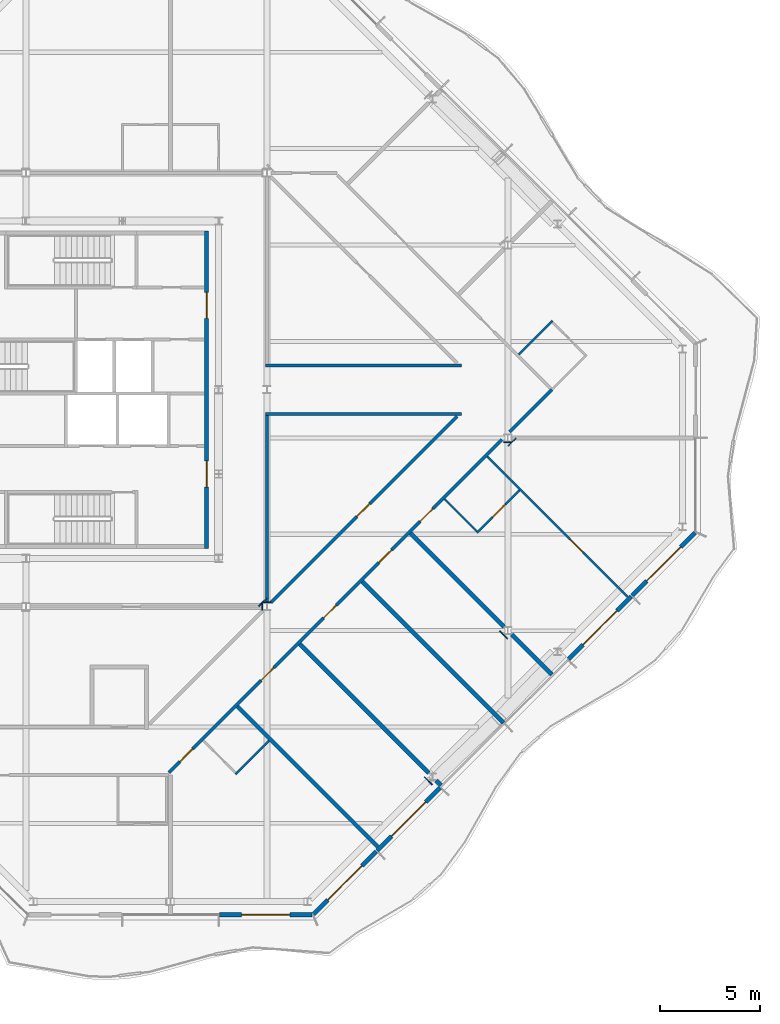
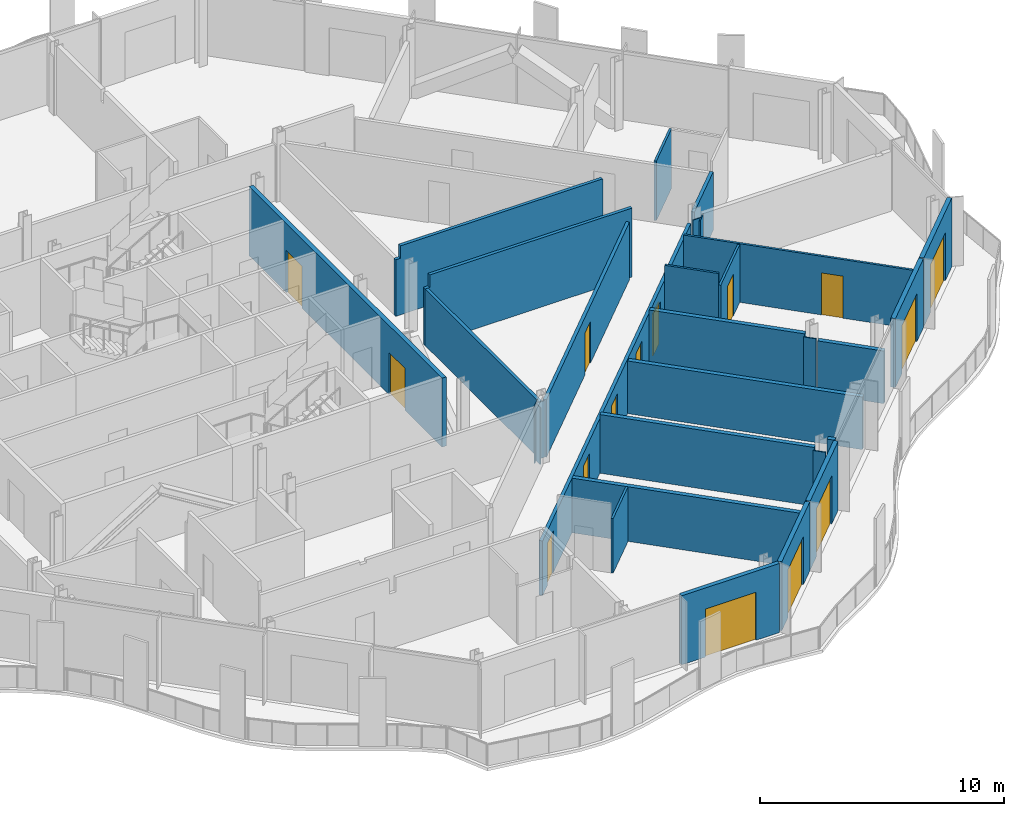
# One storey, part 9 of 17: 30 walls, 15 doors, 15 openings.
"""IFC4 building model written with IfcOpenShell, lengths in metres."""

from ifc_helpers import new_model, si_unit, direction, frame, frame_2d, origin, place, context, subcontext, project, spatial, polyline, rectangle, outline, extrude, material, layer, layer_set, type_object, element, fill, save


model = new_model("IFC4")

# Units and contexts
model_context = context("Model", 3, precision=1e-05, world=origin(), true_north=direction((0.0, 1.0)))
body_context = subcontext(model_context, "Body", "Model", "MODEL_VIEW")
ifc_project = project(units=[si_unit("LENGTHUNIT", "METRE"), si_unit("AREAUNIT", "SQUARE_METRE"), si_unit("VOLUMEUNIT", "CUBIC_METRE"), si_unit("PLANEANGLEUNIT", "RADIAN"), si_unit("MASSUNIT", "GRAM", prefix="KILO")], contexts=[model_context])

# Site, building, storey
site_placement = place(None, origin())
site = spatial("IfcSite", under=ifc_project, at=site_placement, CompositionType="ELEMENT")
building_placement = place(site_placement, origin())
building = spatial("IfcBuilding", under=site, at=building_placement, Name="Cairn Pilgrim Tower", CompositionType="ELEMENT")
storey_placement = place(building_placement, frame((0.0, 0.0, 281.39990234375)))
storey = spatial("IfcBuildingStorey", under=building, at=storey_placement, Name="L72", CompositionType="ELEMENT", Elevation=281.39990234375)

# Wall, opening, door
ifc_material_1 = material(Name="Bronze anodised aluminium insulated sandwich panel with mineral wool fill", Category="aluminium")
ifc_layer_1 = layer(ifc_material_1, 0.199951171875)
ifc_layer_set_1 = layer_set([ifc_layer_1], Name="BRONZE INFILL FRAME WALL 200")
wall_type_1 = type_object("IfcWallType", Name="BRONZE INFILL FRAME WALL 200", PredefinedType="NOTDEFINED", material=ifc_layer_set_1)
wall_1_placement = place(storey_placement, frame((16.830078125, -23.75, 0.0), z_axis=(0.0, 0.0, 1.0), x_axis=(1.0, 0.0, 0.0)))
wall_1 = element("IfcWall", 1, at=wall_1_placement, inside=storey, type_object=wall_type_1, Name="Bronze infill frame wall IW-S3", PredefinedType="NOTDEFINED", context=body_context, shape_type="SweptSolid", body=[
    extrude(rectangle(XDim=4.62646484375, YDim=0.199951171875, at=frame_2d((2.313232421875, 0.0))), origin(), (0.0, 0.0, 1.0), 3.4501953125),
])
opening_1_placement = place(wall_1_placement, frame((1.117919921875, 0.0, 0.0)))
opening_1 = element("IfcOpeningElement", 2, at=opening_1_placement, cuts=wall_1, Name="Opening 7202B2", PredefinedType="OPENING", context=body_context, shape_type="SweptSolid", body=[
    extrude(rectangle(XDim=2.39990234375, YDim=2.39990234375, at=frame_2d((1.199951171875, 1.199951171875))), frame((0.0, 0.10986328125, 0.0), z_axis=(0.0, -1.0, 0.0), x_axis=(1.0, 0.0, 0.0)), (0.0, 0.0, 1.0), 0.219970703125),
])
ifc_material_2 = material(Name="Bronze anodised aluminium frame with tinted low-E glass", Category="aluminium")
door_type_1 = type_object("IfcDoorType", Name="BALCONY SLIDING DOOR 2400x2400", OperationType="DOUBLE_DOOR_SLIDING", PredefinedType="DOOR", material=ifc_material_2)
door_1_placement = place(opening_1_placement, origin())
door_1 = element("IfcDoor", 3, at=door_1_placement, inside=storey, type_object=door_type_1, Name="Balcony sliding door 7202B2", OperationType="SINGLE_SWING_LEFT", OverallHeight=2.39990234375, OverallWidth=2.39990234375, PredefinedType="DOOR", context=body_context, shape_type="SweptSolid", body=[
    extrude(rectangle(XDim=2.39990234375, YDim=2.39990234375, at=frame_2d((1.199951171875, 1.199951171875))), frame((0.0, 0.02490234375, 0.0), z_axis=(0.0, -1.0, 0.0), x_axis=(1.0, 0.0, 0.0)), (0.0, 0.0, 1.0), 0.050048828125),
])
fill(opening_1, door_1)

wall_2_placement = place(storey_placement, frame((21.524658203125, -23.7216796875, 0.0), z_axis=(0.0, 0.0, 1.0), x_axis=(0.707134392299, 0.707079168996, 0.0)))
wall_2 = element("IfcWall", 4, at=wall_2_placement, inside=storey, type_object=wall_type_1, Name="Bronze infill frame wall IW-SE1", PredefinedType="NOTDEFINED", context=body_context, shape_type="SweptSolid", body=[
    extrude(rectangle(XDim=4.4208984375, YDim=0.199951171875, at=frame_2d((2.21044921875, 0.0))), origin(), (0.0, 0.0, 1.0), 3.4501953125),
])
opening_2_placement = place(wall_2_placement, frame((1.00537109375, 0.0, 0.0)))
opening_2 = element("IfcOpeningElement", 5, at=opening_2_placement, cuts=wall_2, Name="Opening 7202B", PredefinedType="OPENING", context=body_context, shape_type="SweptSolid", body=[
    extrude(rectangle(XDim=2.39990234375, YDim=2.39990234375, at=frame_2d((1.199951171875, 1.199951171875))), frame((0.0, 0.10986328125, 0.0), z_axis=(0.0, -1.0, 0.0), x_axis=(1.0, 0.0, 0.0)), (0.0, 0.0, 1.0), 0.219970703125),
])
door_2_placement = place(opening_2_placement, origin())
door_2 = element("IfcDoor", 6, at=door_2_placement, inside=storey, type_object=door_type_1, Name="Balcony sliding door 7202B", OperationType="SINGLE_SWING_LEFT", OverallHeight=2.39990234375, OverallWidth=2.39990234375, PredefinedType="DOOR", context=body_context, shape_type="SweptSolid", body=[
    extrude(rectangle(XDim=2.39990234375, YDim=2.39990234375, at=frame_2d((1.199951171875, 1.199951171875))), frame((0.0, 0.02490234375, 0.0), z_axis=(0.0, -1.0, 0.0), x_axis=(1.0, 0.0, 0.0)), (0.0, 0.0, 1.0), 0.050048828125),
])
fill(opening_2, door_2)

wall_3_placement = place(storey_placement, frame((24.693359375, -20.55322265625, 0.0), z_axis=(0.0, 0.0, 1.0), x_axis=(0.707079231393, 0.707134329907, 0.0)))
wall_3 = element("IfcWall", 7, at=wall_3_placement, inside=storey, type_object=wall_type_1, Name="Bronze infill frame wall IW-SE2", PredefinedType="NOTDEFINED", context=body_context, shape_type="SweptSolid", body=[
    extrude(rectangle(XDim=4.430908203125, YDim=0.199951171875, at=frame_2d((2.21533203125, 0.0))), origin(), (0.0, 0.0, 1.0), 3.4501953125),
])
opening_3_placement = place(wall_3_placement, frame((1.015380859375, 0.0, 0.0)))
opening_3 = element("IfcOpeningElement", 8, at=opening_3_placement, cuts=wall_3, Name="Opening 7203B", PredefinedType="OPENING", context=body_context, shape_type="SweptSolid", body=[
    extrude(rectangle(XDim=2.39990234375, YDim=2.39990234375, at=frame_2d((1.199951171875, 1.199951171875))), frame((0.0, 0.10986328125, 0.0), z_axis=(0.0, -1.0, 0.0), x_axis=(1.0, 0.0, 0.0)), (0.0, 0.0, 1.0), 0.219970703125),
])
door_3_placement = place(opening_3_placement, origin())
door_3 = element("IfcDoor", 9, at=door_3_placement, inside=storey, type_object=door_type_1, Name="Balcony sliding door 7203B", OperationType="SINGLE_SWING_LEFT", OverallHeight=2.39990234375, OverallWidth=2.39990234375, PredefinedType="DOOR", context=body_context, shape_type="SweptSolid", body=[
    extrude(rectangle(XDim=2.39990234375, YDim=2.39990234375, at=frame_2d((1.199951171875, 1.199951171875))), frame((0.0, 0.02490234375, 0.0), z_axis=(0.0, -1.0, 0.0), x_axis=(1.0, 0.0, 0.0)), (0.0, 0.0, 1.0), 0.050048828125),
])
fill(opening_3, door_3)

wall_4_placement = place(storey_placement, frame((34.219970703125, -11.0263671875, 0.0), z_axis=(0.0, 0.0, 1.0), x_axis=(0.707134329907, 0.707079231393, 0.0)))
wall_4 = element("IfcWall", 10, at=wall_4_placement, inside=storey, type_object=wall_type_1, Name="Bronze infill frame wall IW-SE5", PredefinedType="NOTDEFINED", context=body_context, shape_type="SweptSolid", body=[
    extrude(rectangle(XDim=4.430908203125, YDim=0.199951171875, at=frame_2d((2.21533203125, 0.0))), origin(), (0.0, 0.0, 1.0), 3.4501953125),
])
opening_4_placement = place(wall_4_placement, frame((1.01513671875, 0.0, 0.0)))
opening_4 = element("IfcOpeningElement", 11, at=opening_4_placement, cuts=wall_4, Name="Opening 7206B", PredefinedType="OPENING", context=body_context, shape_type="SweptSolid", body=[
    extrude(rectangle(XDim=2.39990234375, YDim=2.39990234375, at=frame_2d((1.199951171875, 1.199951171875))), frame((0.0, 0.10986328125, 0.0), z_axis=(0.0, -1.0, 0.0), x_axis=(1.0, 0.0, 0.0)), (0.0, 0.0, 1.0), 0.219970703125),
])
door_4_placement = place(opening_4_placement, origin())
door_4 = element("IfcDoor", 12, at=door_4_placement, inside=storey, type_object=door_type_1, Name="Balcony sliding door 7206B", OperationType="SINGLE_SWING_LEFT", OverallHeight=2.39990234375, OverallWidth=2.39990234375, PredefinedType="DOOR", context=body_context, shape_type="SweptSolid", body=[
    extrude(rectangle(XDim=2.39990234375, YDim=2.39990234375, at=frame_2d((1.199951171875, 1.199951171875))), frame((0.0, 0.02490234375, 0.0), z_axis=(0.0, -1.0, 0.0), x_axis=(1.0, 0.0, 0.0)), (0.0, 0.0, 1.0), 0.050048828125),
])
fill(opening_4, door_4)

wall_5_placement = place(storey_placement, frame((37.3955078125, -7.850830078125, 0.0), z_axis=(0.0, 0.0, 1.0), x_axis=(0.707106781187, 0.707106781187, 0.0)))
wall_5 = element("IfcWall", 13, at=wall_5_placement, inside=storey, type_object=wall_type_1, Name="Bronze infill frame wall IW-SE6", PredefinedType="NOTDEFINED", context=body_context, shape_type="SweptSolid", body=[
    extrude(rectangle(XDim=4.421142578125, YDim=0.199951171875, at=frame_2d((2.21044921875, 0.0))), origin(), (0.0, 0.0, 1.0), 3.4501953125),
])
opening_5_placement = place(wall_5_placement, frame((1.015625, 0.0, 0.0)))
opening_5 = element("IfcOpeningElement", 14, at=opening_5_placement, cuts=wall_5, Name="Opening 7212B", PredefinedType="OPENING", context=body_context, shape_type="SweptSolid", body=[
    extrude(rectangle(XDim=2.39990234375, YDim=2.39990234375, at=frame_2d((1.199951171875, 1.199951171875))), frame((0.0, 0.10986328125, 0.0), z_axis=(0.0, -1.0, 0.0), x_axis=(1.0, 0.0, 0.0)), (0.0, 0.0, 1.0), 0.219970703125),
])
door_5_placement = place(opening_5_placement, origin())
door_5 = element("IfcDoor", 15, at=door_5_placement, inside=storey, type_object=door_type_1, Name="Balcony sliding door 7212B", OperationType="SINGLE_SWING_LEFT", OverallHeight=2.39990234375, OverallWidth=2.39990234375, PredefinedType="DOOR", context=body_context, shape_type="SweptSolid", body=[
    extrude(rectangle(XDim=2.39990234375, YDim=2.39990234375, at=frame_2d((1.199951171875, 1.199951171875))), frame((0.0, 0.02490234375, 0.0), z_axis=(0.0, -1.0, 0.0), x_axis=(1.0, 0.0, 0.0)), (0.0, 0.0, 1.0), 0.050048828125),
])
fill(opening_5, door_5)

# Wall, openings, doors
ifc_material_3 = material(Name="Concrete C32/40", Category="concrete")
ifc_layer_2 = layer(ifc_material_3, 0.199951171875)
ifc_layer_set_2 = layer_set([ifc_layer_2], Name="CORE OUTER WALL 200 EI 120")
wall_type_2 = type_object("IfcWallType", Name="CORE OUTER WALL 200 EI 120", PredefinedType="SOLIDWALL", material=ifc_layer_set_2)
wall_6_placement = place(storey_placement, frame((16.199951171875, -5.5, 0.0), z_axis=(0.0, 0.0, 1.0), x_axis=(0.0, 1.0, 0.0)))
wall_6 = element("IfcWall", 16, at=wall_6_placement, inside=storey, type_object=wall_type_2, Name="CW:L72:V29", PredefinedType="SOLIDWALL", context=body_context, shape_type="SweptSolid", body=[
    extrude(rectangle(XDim=15.800048828125, YDim=0.199951171875, at=frame_2d((7.89990234375, 0.0))), origin(), (0.0, 0.0, 1.0), 3.4501953125),
])
opening_6_placement = place(wall_6_placement, frame((3.050048828125, 0.0, 0.0)))
opening_6 = element("IfcOpeningElement", 17, at=opening_6_placement, cuts=wall_6, Name="Opening CD-E1", PredefinedType="OPENING", context=body_context, shape_type="SweptSolid", body=[
    extrude(rectangle(XDim=1.300048828125, YDim=2.10009765625, at=frame_2d((0.64990234375, 1.050048828125))), frame((0.0, 0.10986328125, 0.0), z_axis=(0.0, -1.0, 0.0), x_axis=(1.0, 0.0, 0.0)), (0.0, 0.0, 1.0), 0.219970703125),
])
opening_7_placement = place(wall_6_placement, frame((11.449951171875, 0.0, 0.0)))
opening_7 = element("IfcOpeningElement", 18, at=opening_7_placement, cuts=wall_6, Name="Opening CD-E2", PredefinedType="OPENING", context=body_context, shape_type="SweptSolid", body=[
    extrude(rectangle(XDim=1.300048828125, YDim=2.10009765625, at=frame_2d((0.64990234375, 1.050048828125))), frame((0.0, 0.10986328125, 0.0), z_axis=(0.0, -1.0, 0.0), x_axis=(1.0, 0.0, 0.0)), (0.0, 0.0, 1.0), 0.219970703125),
])
ifc_material_4 = material(Name="Painted steel", Category="steel")
door_type_2 = type_object("IfcDoorType", Name="CORE LOBBY DOOR 1300x2100", OperationType="DOUBLE_DOOR_SINGLE_SWING", PredefinedType="DOOR", material=ifc_material_4)
door_6_placement = place(opening_6_placement, origin())
door_6 = element("IfcDoor", 19, at=door_6_placement, inside=storey, type_object=door_type_2, Name="CD-E1", OperationType="DOUBLE_DOOR_SINGLE_SWING", OverallHeight=2.10009765625, OverallWidth=1.300048828125, PredefinedType="DOOR", context=body_context, shape_type="SweptSolid", body=[
    extrude(rectangle(XDim=1.300048828125, YDim=2.10009765625, at=frame_2d((0.64990234375, 1.050048828125))), frame((0.0, 0.02490234375, 0.0), z_axis=(0.0, -1.0, 0.0), x_axis=(1.0, 0.0, 0.0)), (0.0, 0.0, 1.0), 0.050048828125),
])
fill(opening_6, door_6)
door_7_placement = place(opening_7_placement, origin())
door_7 = element("IfcDoor", 20, at=door_7_placement, inside=storey, type_object=door_type_2, Name="CD-E2", OperationType="DOUBLE_DOOR_SINGLE_SWING", OverallHeight=2.10009765625, OverallWidth=1.300048828125, PredefinedType="DOOR", context=body_context, shape_type="SweptSolid", body=[
    extrude(rectangle(XDim=1.300048828125, YDim=2.10009765625, at=frame_2d((0.64990234375, 1.050048828125))), frame((0.0, 0.02490234375, 0.0), z_axis=(0.0, -1.0, 0.0), x_axis=(1.0, 0.0, 0.0)), (0.0, 0.0, 1.0), 0.050048828125),
])
fill(opening_7, door_7)

# Wall
ifc_material_5 = material(Name="Gypsum partition")
ifc_layer_3 = layer(ifc_material_5, 0.10009765625)
ifc_layer_set_3 = layer_set([ifc_layer_3], Name="PARTITION 100 DRYWALL")
wall_type_3 = type_object("IfcWallType", Name="PARTITION 100 DRYWALL", PredefinedType="PARTITIONING", material=ifc_layer_set_3)
wall_7_placement = place(storey_placement, frame((17.6376953125, -16.75048828125, 0.0), z_axis=(0.0, 0.0, 1.0), x_axis=(0.707054835785, 0.707158722772, 0.0)))
element("IfcWall", 21, at=wall_7_placement, inside=storey, type_object=wall_type_3, Name="PARTITION W010", PredefinedType="PARTITIONING", context=body_context, shape_type="SweptSolid", body=[
    extrude(rectangle(XDim=2.35009765625, YDim=0.10009765625, at=frame_2d((1.175048828125, 0.0))), origin(), (0.0, 0.0, 1.0), 2.72998046875),
])

# Wall, opening, door
wall_8_placement = place(storey_placement, frame((37.1552734375, -7.9072265625, 0.0), z_axis=(0.0, 0.0, 1.0), x_axis=(-0.707106781187, 0.707106781187, 0.0)))
wall_8 = element("IfcWall", 22, at=wall_8_placement, inside=storey, type_object=wall_type_3, Name="PARTITION W035", PredefinedType="PARTITIONING", context=body_context, shape_type="SweptSolid", body=[
    extrude(rectangle(XDim=9.872802734375, YDim=0.10009765625, at=frame_2d((4.9365234375, 0.0))), origin(), (0.0, 0.0, 1.0), 2.93017578125),
])
opening_8_placement = place(wall_8_placement, frame((3.134033203125, 0.0, 0.0)))
opening_8 = element("IfcOpeningElement", 23, at=opening_8_placement, cuts=wall_8, Name="Opening 7212", PredefinedType="OPENING", context=body_context, shape_type="SweptSolid", body=[
    extrude(rectangle(XDim=0.89990234375, YDim=2.10009765625, at=frame_2d((0.449951171875, 1.050048828125))), frame((0.0, 0.06005859375, 0.0), z_axis=(0.0, -1.0, 0.0), x_axis=(1.0, 0.0, 0.0)), (0.0, 0.0, 1.0), 0.1201171875),
])
ifc_material_6 = material(Name="Timber door leaf", Category="wood")
door_type_3 = type_object("IfcDoorType", Name="SERVICE DOOR 900x2100", OperationType="NOTDEFINED", PredefinedType="DOOR", material=ifc_material_6)
door_8_placement = place(opening_8_placement, origin())
door_8 = element("IfcDoor", 24, at=door_8_placement, inside=storey, type_object=door_type_3, Name="DOOR 7212", OperationType="SINGLE_SWING_LEFT", OverallHeight=2.10009765625, OverallWidth=0.89990234375, PredefinedType="DOOR", context=body_context, shape_type="SweptSolid", body=[
    extrude(rectangle(XDim=0.89990234375, YDim=2.10009765625, at=frame_2d((0.449951171875, 1.050048828125))), frame((0.0, 0.02490234375, 0.0), z_axis=(0.0, -1.0, 0.0), x_axis=(1.0, 0.0, 0.0)), (0.0, 0.0, 1.0), 0.050048828125),
])
fill(opening_8, door_8)

# Wall
wall_9_placement = place(storey_placement, frame((29.66162109375, -4.655517578125, 0.0), z_axis=(0.0, 0.0, 1.0), x_axis=(-0.707160441348, 0.707053116953, 0.0)))
element("IfcWall", 25, at=wall_9_placement, inside=storey, type_object=wall_type_3, Name="PARTITION W036", PredefinedType="PARTITIONING", context=body_context, shape_type="SweptSolid", body=[
    extrude(rectangle(XDim=2.27490234375, YDim=0.10009765625, at=frame_2d((1.137451171875, 0.0))), origin(), (0.0, 0.0, 1.0), 3.4501953125),
])

# Wall, opening, door
wall_10_placement = place(storey_placement, frame((29.66162109375, -4.726318359375, 0.0), z_axis=(0.0, 0.0, 1.0), x_axis=(0.707147476809, 0.707066083222, 0.0)))
wall_10 = element("IfcWall", 26, at=wall_10_placement, inside=storey, type_object=wall_type_3, Name="PARTITION W037", PredefinedType="PARTITIONING", context=body_context, shape_type="SweptSolid", body=[
    extrude(rectangle(XDim=2.99951171875, YDim=0.10009765625, at=frame_2d((1.499755859375, 0.0))), origin(), (0.0, 0.0, 1.0), 2.880126953125),
])
opening_9_placement = place(wall_10_placement, frame((1.10009765625, 0.0, 0.0)))
opening_9 = element("IfcOpeningElement", 27, at=opening_9_placement, cuts=wall_10, Name="Opening 7206A", PredefinedType="OPENING", context=body_context, shape_type="SweptSolid", body=[
    extrude(rectangle(XDim=0.89990234375, YDim=2.10009765625, at=frame_2d((0.449951171875, 1.050048828125))), frame((0.0, 0.06005859375, 0.0), z_axis=(0.0, -1.0, 0.0), x_axis=(1.0, 0.0, 0.0)), (0.0, 0.0, 1.0), 0.1201171875),
])
door_type_4 = type_object("IfcDoorType", Name="WC DOOR 900x2100", OperationType="NOTDEFINED", PredefinedType="DOOR", material=ifc_material_6)
door_9_placement = place(opening_9_placement, frame((0.89990234375, 0.0, 0.0), z_axis=(0.0, 0.0, 1.0), x_axis=(-1.0, 0.0, 0.0)))
door_9 = element("IfcDoor", 28, at=door_9_placement, inside=storey, type_object=door_type_4, Name="DOOR 7206A", OperationType="SINGLE_SWING_LEFT", OverallHeight=2.10009765625, OverallWidth=0.89990234375, PredefinedType="DOOR", context=body_context, shape_type="SweptSolid", body=[
    extrude(rectangle(XDim=0.89990234375, YDim=2.10009765625, at=frame_2d((0.449951171875, 1.050048828125))), frame((0.0, 0.02490234375, 0.0), z_axis=(0.0, -1.0, 0.0), x_axis=(1.0, 0.0, 0.0)), (0.0, 0.0, 1.0), 0.050048828125),
])
fill(opening_9, door_9)

# Wall
wall_11_placement = place(storey_placement, frame((31.75, 4.14990234375, 0.0), z_axis=(0.0, 0.0, 1.0), x_axis=(0.707055379538, 0.707158179099, 0.0)))
element("IfcWall", 29, at=wall_11_placement, inside=storey, type_object=wall_type_3, Name="PARTITION W048", PredefinedType="PARTITIONING", context=body_context, shape_type="SweptSolid", body=[
    extrude(rectangle(XDim=2.375, YDim=0.10009765625, at=frame_2d((1.1875, 0.0))), origin(), (0.0, 0.0, 1.0), 2.97998046875),
])

# Wall, openings, doors
ifc_layer_4 = layer(ifc_material_5, 0.14990234375)
ifc_layer_set_4 = layer_set([ifc_layer_4], Name="PARTITION 150 DRYWALL EI 60")
wall_type_4 = type_object("IfcWallType", Name="PARTITION 150 DRYWALL EI 60", PredefinedType="PARTITIONING", material=ifc_layer_set_4)
wall_12_placement = place(storey_placement, frame((14.322021484375, -16.672119140625, 0.0), z_axis=(0.0, 0.0, 1.0), x_axis=(0.707106781187, 0.707106781187, 0.0)))
wall_12 = element("IfcWall", 30, at=wall_12_placement, inside=storey, type_object=wall_type_4, Name="PARTITION W011", PredefinedType="PARTITIONING", context=body_context, shape_type="SweptSolid", body=[
    extrude(rectangle(XDim=23.45166015625, YDim=0.14990234375, at=frame_2d((11.725830078125, 0.0))), origin(), (0.0, 0.0, 1.0), 2.72998046875),
])
opening_10_placement = place(wall_12_placement, frame((0.775146484375, 0.0, 0.0)))
opening_10 = element("IfcOpeningElement", 31, at=opening_10_placement, cuts=wall_12, Name="Opening 7202", PredefinedType="OPENING", context=body_context, shape_type="SweptSolid", body=[
    extrude(rectangle(XDim=0.89990234375, YDim=2.10009765625, at=frame_2d((0.449951171875, 1.050048828125))), frame((0.0, 0.0849609375, 0.0), z_axis=(0.0, -1.0, 0.0), x_axis=(1.0, 0.0, 0.0)), (0.0, 0.0, 1.0), 0.169921875),
])
opening_11_placement = place(wall_12_placement, frame((6.489013671875, 0.0, 0.0)))
opening_11 = element("IfcOpeningElement", 32, at=opening_11_placement, cuts=wall_12, Name="Opening 7203", PredefinedType="OPENING", context=body_context, shape_type="SweptSolid", body=[
    extrude(rectangle(XDim=0.89990234375, YDim=2.10009765625, at=frame_2d((0.449951171875, 1.050048828125))), frame((0.0, 0.0849609375, 0.0), z_axis=(0.0, -1.0, 0.0), x_axis=(1.0, 0.0, 0.0)), (0.0, 0.0, 1.0), 0.169921875),
])
opening_12_placement = place(wall_12_placement, frame((10.89013671875, 0.0, 0.0)))
opening_12 = element("IfcOpeningElement", 33, at=opening_12_placement, cuts=wall_12, Name="Opening 7204", PredefinedType="OPENING", context=body_context, shape_type="SweptSolid", body=[
    extrude(rectangle(XDim=0.89990234375, YDim=2.10009765625, at=frame_2d((0.449951171875, 1.050048828125))), frame((0.0, 0.0849609375, 0.0), z_axis=(0.0, -1.0, 0.0), x_axis=(1.0, 0.0, 0.0)), (0.0, 0.0, 1.0), 0.169921875),
])
opening_13_placement = place(wall_12_placement, frame((14.7880859375, 0.0, 0.0)))
opening_13 = element("IfcOpeningElement", 34, at=opening_13_placement, cuts=wall_12, Name="Opening 7205", PredefinedType="OPENING", context=body_context, shape_type="SweptSolid", body=[
    extrude(rectangle(XDim=0.89990234375, YDim=2.10009765625, at=frame_2d((0.449951171875, 1.050048828125))), frame((0.0, 0.0849609375, 0.0), z_axis=(0.0, -1.0, 0.0), x_axis=(1.0, 0.0, 0.0)), (0.0, 0.0, 1.0), 0.169921875),
])
opening_14_placement = place(wall_12_placement, frame((17.689453125, 0.0, 0.0)))
opening_14 = element("IfcOpeningElement", 35, at=opening_14_placement, cuts=wall_12, Name="Opening 7206", PredefinedType="OPENING", context=body_context, shape_type="SweptSolid", body=[
    extrude(rectangle(XDim=0.89990234375, YDim=2.10009765625, at=frame_2d((0.449951171875, 1.050048828125))), frame((0.0, 0.0849609375, 0.0), z_axis=(0.0, -1.0, 0.0), x_axis=(1.0, 0.0, 0.0)), (0.0, 0.0, 1.0), 0.169921875),
])
door_type_5 = type_object("IfcDoorType", Name="ROOM DOOR 900x2100 FD30S", OperationType="NOTDEFINED", PredefinedType="DOOR", material=ifc_material_6)
door_10_placement = place(opening_10_placement, frame((0.89990234375, 0.0, 0.0), z_axis=(0.0, 0.0, 1.0), x_axis=(-1.0, 0.0, 0.0)))
door_10 = element("IfcDoor", 36, at=door_10_placement, inside=storey, type_object=door_type_5, Name="DOOR 7202", OperationType="SINGLE_SWING_LEFT", OverallHeight=2.10009765625, OverallWidth=0.89990234375, PredefinedType="DOOR", context=body_context, shape_type="SweptSolid", body=[
    extrude(rectangle(XDim=0.89990234375, YDim=2.10009765625, at=frame_2d((0.449951171875, 1.050048828125))), frame((0.0, 0.02490234375, 0.0), z_axis=(0.0, -1.0, 0.0), x_axis=(1.0, 0.0, 0.0)), (0.0, 0.0, 1.0), 0.050048828125),
])
fill(opening_10, door_10)
door_11_placement = place(opening_14_placement, frame((0.89990234375, 0.0, 0.0), z_axis=(0.0, 0.0, 1.0), x_axis=(-1.0, 0.0, 0.0)))
door_11 = element("IfcDoor", 37, at=door_11_placement, inside=storey, type_object=door_type_5, Name="DOOR 7206", OperationType="SINGLE_SWING_LEFT", OverallHeight=2.10009765625, OverallWidth=0.89990234375, PredefinedType="DOOR", context=body_context, shape_type="SweptSolid", body=[
    extrude(rectangle(XDim=0.89990234375, YDim=2.10009765625, at=frame_2d((0.449951171875, 1.050048828125))), frame((0.0, 0.02490234375, 0.0), z_axis=(0.0, -1.0, 0.0), x_axis=(1.0, 0.0, 0.0)), (0.0, 0.0, 1.0), 0.050048828125),
])
fill(opening_14, door_11)
door_type_6 = type_object("IfcDoorType", Name="SERVICE DOOR 900x2100 FD30S", OperationType="NOTDEFINED", PredefinedType="DOOR", material=ifc_material_6)
door_12_placement = place(opening_11_placement, frame((0.89990234375, 0.0, 0.0), z_axis=(0.0, 0.0, 1.0), x_axis=(-1.0, 0.0, 0.0)))
door_12 = element("IfcDoor", 38, at=door_12_placement, inside=storey, type_object=door_type_6, Name="DOOR 7203", OperationType="SINGLE_SWING_LEFT", OverallHeight=2.10009765625, OverallWidth=0.89990234375, PredefinedType="DOOR", context=body_context, shape_type="SweptSolid", body=[
    extrude(rectangle(XDim=0.89990234375, YDim=2.10009765625, at=frame_2d((0.449951171875, 1.050048828125))), frame((0.0, 0.02490234375, 0.0), z_axis=(0.0, -1.0, 0.0), x_axis=(1.0, 0.0, 0.0)), (0.0, 0.0, 1.0), 0.050048828125),
])
fill(opening_11, door_12)
door_13_placement = place(opening_12_placement, frame((0.89990234375, 0.0, 0.0), z_axis=(0.0, 0.0, 1.0), x_axis=(-1.0, 0.0, 0.0)))
door_13 = element("IfcDoor", 39, at=door_13_placement, inside=storey, type_object=door_type_6, Name="DOOR 7204", OperationType="SINGLE_SWING_LEFT", OverallHeight=2.10009765625, OverallWidth=0.89990234375, PredefinedType="DOOR", context=body_context, shape_type="SweptSolid", body=[
    extrude(rectangle(XDim=0.89990234375, YDim=2.10009765625, at=frame_2d((0.449951171875, 1.050048828125))), frame((0.0, 0.02490234375, 0.0), z_axis=(0.0, -1.0, 0.0), x_axis=(1.0, 0.0, 0.0)), (0.0, 0.0, 1.0), 0.050048828125),
])
fill(opening_12, door_13)
door_14_placement = place(opening_13_placement, frame((0.89990234375, 0.0, 0.0), z_axis=(0.0, 0.0, 1.0), x_axis=(-1.0, 0.0, 0.0)))
door_14 = element("IfcDoor", 40, at=door_14_placement, inside=storey, type_object=door_type_6, Name="DOOR 7205", OperationType="SINGLE_SWING_LEFT", OverallHeight=2.10009765625, OverallWidth=0.89990234375, PredefinedType="DOOR", context=body_context, shape_type="SweptSolid", body=[
    extrude(rectangle(XDim=0.89990234375, YDim=2.10009765625, at=frame_2d((0.449951171875, 1.050048828125))), frame((0.0, 0.02490234375, 0.0), z_axis=(0.0, -1.0, 0.0), x_axis=(1.0, 0.0, 0.0)), (0.0, 0.0, 1.0), 0.050048828125),
])
fill(opening_13, door_14)

# Wall
wall_13_placement = place(storey_placement, frame((19.199951171875, -8.21240234375, 0.0), z_axis=(0.0, 0.0, 1.0), x_axis=(0.0, 1.0, 0.0)))
element("IfcWall", 41, at=wall_13_placement, inside=storey, type_object=wall_type_4, Name="PARTITION W033", PredefinedType="PARTITIONING", context=body_context, shape_type="SweptSolid", body=[
    extrude(rectangle(XDim=9.33740234375, YDim=0.14990234375, at=frame_2d((4.668701171875, 0.0))), origin(), (0.0, 0.0, 1.0), 2.830078125),
])

# Wall, opening, door
wall_14_placement = place(storey_placement, frame((19.39208984375, -8.207763671875, 0.0), z_axis=(0.0, 0.0, 1.0), x_axis=(0.707106781187, 0.707106781187, 0.0)))
wall_14 = element("IfcWall", 42, at=wall_14_placement, inside=storey, type_object=wall_type_4, Name="PARTITION W034", PredefinedType="PARTITIONING", context=body_context, shape_type="SweptSolid", body=[
    extrude(rectangle(XDim=13.12353515625, YDim=0.14990234375, at=frame_2d((6.561767578125, 0.0))), origin(), (0.0, 0.0, 1.0), 2.880126953125),
])
opening_15_placement = place(wall_14_placement, frame((6.066162109375, 0.0, 0.0)))
opening_15 = element("IfcOpeningElement", 43, at=opening_15_placement, cuts=wall_14, Name="Opening 7215", PredefinedType="OPENING", context=body_context, shape_type="SweptSolid", body=[
    extrude(rectangle(XDim=0.89990234375, YDim=2.10009765625, at=frame_2d((0.449951171875, 1.050048828125))), frame((0.0, 0.0849609375, 0.0), z_axis=(0.0, -1.0, 0.0), x_axis=(1.0, 0.0, 0.0)), (0.0, 0.0, 1.0), 0.169921875),
])
door_15_placement = place(opening_15_placement, origin())
door_15 = element("IfcDoor", 44, at=door_15_placement, inside=storey, type_object=door_type_6, Name="DOOR 7215", OperationType="SINGLE_SWING_RIGHT", OverallHeight=2.10009765625, OverallWidth=0.89990234375, PredefinedType="DOOR", context=body_context, shape_type="SweptSolid", body=[
    extrude(rectangle(XDim=0.89990234375, YDim=2.10009765625, at=frame_2d((0.449951171875, 1.050048828125))), frame((0.0, 0.02490234375, 0.0), z_axis=(0.0, -1.0, 0.0), x_axis=(1.0, 0.0, 0.0)), (0.0, 0.0, 1.0), 0.050048828125),
])
fill(opening_15, door_15)

# Walls
wall_15_placement = place(storey_placement, frame((31.289306640625, 0.29541015625, 0.0), z_axis=(0.0, 0.0, 1.0), x_axis=(0.707147793093, 0.707065766902, 0.0)))
element("IfcWall", 45, at=wall_15_placement, inside=storey, type_object=wall_type_4, Name="PARTITION W039", PredefinedType="PARTITIONING", context=body_context, shape_type="SweptSolid", body=[
    extrude(rectangle(XDim=2.976318359375, YDim=0.14990234375, at=frame_2d((1.48828125, 0.0))), origin(), (0.0, 0.0, 1.0), 2.93017578125),
])
for number, where, z_axis, x_axis, name in (
    (46, (19.125, 1.199951171875, 0.0), (0.0, 0.0, 1.0), (1.0, 0.0, 0.0), "PARTITION W040"),
    (47, (19.125, 3.60009765625, 0.0), (0.0, 0.0, 1.0), (1.0, 0.0, 0.0), "PARTITION W044"),
):
    element("IfcWall", number, at=place(storey_placement, frame(where, z_axis=z_axis, x_axis=x_axis)), inside=storey, type_object=wall_type_4, Name=name, PredefinedType="PARTITIONING", context=body_context, shape_type="SweptSolid", body=[
        extrude(outline(polyline([(0.0, 0.0), (9.781005859375, 0.0), (9.781005859375, 3.4501953125), (0.22509765625, 3.4501953125), (0.222900390625, 2.830078125), (0.0, 2.830078125), (0.0, 0.0)])), frame((0.0, 0.074951171875, 0.0), z_axis=(0.0, -1.0, 0.0), x_axis=(1.0, 0.0, 0.0)), (0.0, 0.0, 1.0), 0.14990234375),
    ])
ifc_layer_5 = layer(ifc_material_5, 0.050048828125)
ifc_layer_set_5 = layer_set([ifc_layer_5], Name="PARTITION 50 DRYWALL EI 60")
wall_type_5 = type_object("IfcWallType", Name="PARTITION 50 DRYWALL EI 60", PredefinedType="PARTITIONING", material=ifc_layer_set_5)
wall_16_placement = place(storey_placement, frame((27.433837890625, -17.27294921875, 0.0), z_axis=(0.0, 0.0, 1.0), x_axis=(-0.707106781187, 0.707106781187, 0.0)))
element("IfcWall", 48, at=wall_16_placement, inside=storey, type_object=wall_type_5, Name="COLUMN CASING WC02", PredefinedType="PARTITIONING", context=body_context, shape_type="SweptSolid", body=[
    extrude(rectangle(XDim=0.536865234375, YDim=0.050048828125, at=frame_2d((0.2685546875, 0.0))), origin(), (0.0, 0.0, 1.0), 2.93017578125),
])
wall_17_placement = place(storey_placement, frame((31.2177734375, -0.402099609375, 0.0), z_axis=(0.0, 0.0, 1.0), x_axis=(0.707106781187, 0.707106781187, 0.0)))
element("IfcWall", 49, at=wall_17_placement, inside=storey, type_object=wall_type_5, Name="COLUMN CASING WC04", PredefinedType="PARTITIONING", context=body_context, shape_type="SweptSolid", body=[
    extrude(rectangle(XDim=0.543701171875, YDim=0.050048828125, at=frame_2d((0.27197265625, 0.0))), origin(), (0.0, 0.0, 1.0), 2.93017578125),
])
wall_18_placement = place(storey_placement, frame((18.7978515625, -8.38232421875, 0.0), z_axis=(0.0, 0.0, 1.0), x_axis=(0.707106781187, 0.707106781187, 0.0)))
element("IfcWall", 50, at=wall_18_placement, inside=storey, type_object=wall_type_5, Name="COLUMN CASING WC05", PredefinedType="PARTITIONING", context=body_context, shape_type="SweptSolid", body=[
    extrude(rectangle(XDim=0.543701171875, YDim=0.050048828125, at=frame_2d((0.27197265625, 0.0))), origin(), (0.0, 0.0, 1.0), 2.830078125),
])
wall_19_placement = place(storey_placement, frame((31.182373046875, -10.002197265625, 0.0), z_axis=(0.0, 0.0, 1.0), x_axis=(-0.707106781187, 0.707106781187, 0.0)))
element("IfcWall", 51, at=wall_19_placement, inside=storey, type_object=wall_type_5, Name="COLUMN CASING WC06", PredefinedType="PARTITIONING", context=body_context, shape_type="SweptSolid", body=[
    extrude(rectangle(XDim=0.543701171875, YDim=0.050048828125, at=frame_2d((0.27197265625, 0.0))), origin(), (0.0, 0.0, 1.0), 2.880126953125),
])
wall_20_placement = place(storey_placement, frame((19.0029296875, -8.1875, 0.0), z_axis=(0.0, 0.0, 1.0), x_axis=(1.0, 0.0, 0.0)))
element("IfcWall", 52, at=wall_20_placement, inside=storey, type_object=wall_type_5, Name="COLUMN CASING WC13", PredefinedType="PARTITIONING", context=body_context, shape_type="SweptSolid", body=[
    extrude(rectangle(XDim=0.39404296875, YDim=0.050048828125, at=frame_2d((0.197021484375, 0.0))), origin(), (0.0, 0.0, 1.0), 2.830078125),
])
wall_21_placement = place(storey_placement, frame((18.97802734375, -8.58740234375, 0.0), z_axis=(0.0, 0.0, 1.0), x_axis=(0.0, 1.0, 0.0)))
element("IfcWall", 53, at=wall_21_placement, inside=storey, type_object=wall_type_5, Name="COLUMN CASING WC14", PredefinedType="PARTITIONING", context=body_context, shape_type="SweptSolid", body=[
    extrude(rectangle(XDim=0.375, YDim=0.050048828125, at=frame_2d((0.1875, 0.0))), origin(), (0.0, 0.0, 1.0), 2.830078125),
])
wall_22_placement = place(storey_placement, frame((31.0029296875, -0.21240234375, 0.0), z_axis=(0.0, 0.0, 1.0), x_axis=(1.0, 0.0, 0.0)))
element("IfcWall", 54, at=wall_22_placement, inside=storey, type_object=wall_type_5, Name="COLUMN CASING WC15", PredefinedType="PARTITIONING", context=body_context, shape_type="SweptSolid", body=[
    extrude(rectangle(XDim=0.39404296875, YDim=0.050048828125, at=frame_2d((0.197021484375, 0.0))), origin(), (0.0, 0.0, 1.0), 2.93017578125),
])
ifc_layer_6 = layer(ifc_material_5, 0.199951171875)
ifc_layer_set_6 = layer_set([ifc_layer_6], Name="SHAFT WALL 200 GYPSUM EI 60")
wall_type_6 = type_object("IfcWallType", Name="SHAFT WALL 200 GYPSUM EI 60", PredefinedType="PARTITIONING", material=ifc_layer_set_6)
wall_23_placement = place(storey_placement, frame((24.707275390625, -20.355224609375, 0.0), z_axis=(0.0, 0.0, 1.0), x_axis=(-0.707106781187, 0.707106781187, 0.0)))
element("IfcWall", 55, at=wall_23_placement, inside=storey, type_object=wall_type_6, Name="PARTITION W003", PredefinedType="PARTITIONING", context=body_context, shape_type="SweptSolid", body=[
    extrude(rectangle(XDim=9.872802734375, YDim=0.199951171875, at=frame_2d((4.9365234375, 0.0))), origin(), (0.0, 0.0, 1.0), 2.72998046875),
])
wall_24_placement = place(storey_placement, frame((27.868896484375, -17.292724609375, 0.0), z_axis=(0.0, 0.0, 1.0), x_axis=(-0.707106781187, 0.707106781187, 0.0)))
element("IfcWall", 56, at=wall_24_placement, inside=storey, type_object=wall_type_6, Name="PARTITION W007", PredefinedType="PARTITIONING", context=body_context, shape_type="SweptSolid", body=[
    extrude(rectangle(XDim=0.32177734375, YDim=0.199951171875, at=frame_2d((0.160888671875, 0.0))), origin(), (0.0, 0.0, 1.0), 3.4501953125),
])
wall_25_placement = place(storey_placement, frame((27.26171875, -16.685791015625, 0.0), z_axis=(0.0, 0.0, 1.0), x_axis=(-0.707106781187, 0.707106781187, 0.0)))
element("IfcWall", 57, at=wall_25_placement, inside=storey, type_object=wall_type_6, Name="PARTITION W013", PredefinedType="PARTITIONING", context=body_context, shape_type="SweptSolid", body=[
    extrude(rectangle(XDim=9.084716796875, YDim=0.199951171875, at=frame_2d((4.54248046875, 0.0))), origin(), (0.0, 0.0, 1.0), 2.93017578125),
])
wall_26_placement = place(storey_placement, frame((30.980712890625, -14.180908203125, 0.0), z_axis=(0.0, 0.0, 1.0), x_axis=(-0.707094504281, 0.707119057879, 0.0)))
element("IfcWall", 58, at=wall_26_placement, inside=storey, type_object=wall_type_6, Name="PARTITION W019", PredefinedType="PARTITIONING", context=body_context, shape_type="SweptSolid", body=[
    extrude(rectangle(XDim=9.943115234375, YDim=0.199951171875, at=frame_2d((4.9716796875, 0.0))), origin(), (0.0, 0.0, 1.0), 2.630126953125),
])
wall_27_placement = place(storey_placement, frame((33.380859375, -11.78076171875, 0.0), z_axis=(0.0, 0.0, 1.0), x_axis=(-0.707106781187, 0.707106781187, 0.0)))
element("IfcWall", 59, at=wall_27_placement, inside=storey, type_object=wall_type_6, Name="PARTITION W024", PredefinedType="PARTITIONING", context=body_context, shape_type="SweptSolid", body=[
    extrude(rectangle(XDim=2.812255859375, YDim=0.199951171875, at=frame_2d((1.40625, 0.0))), origin(), (0.0, 0.0, 1.0), 2.630126953125),
])
wall_28_placement = place(storey_placement, frame((31.0078125, -9.40771484375, 0.0), z_axis=(0.0, 0.0, 1.0), x_axis=(-0.707106781187, 0.707106781187, 0.0)))
element("IfcWall", 60, at=wall_28_placement, inside=storey, type_object=wall_type_6, Name="PARTITION W028", PredefinedType="PARTITIONING", context=body_context, shape_type="SweptSolid", body=[
    extrude(rectangle(XDim=6.5869140625, YDim=0.199951171875, at=frame_2d((3.29345703125, 0.0))), origin(), (0.0, 0.0, 1.0), 2.880126953125),
])

save(model, "model.ifc")
